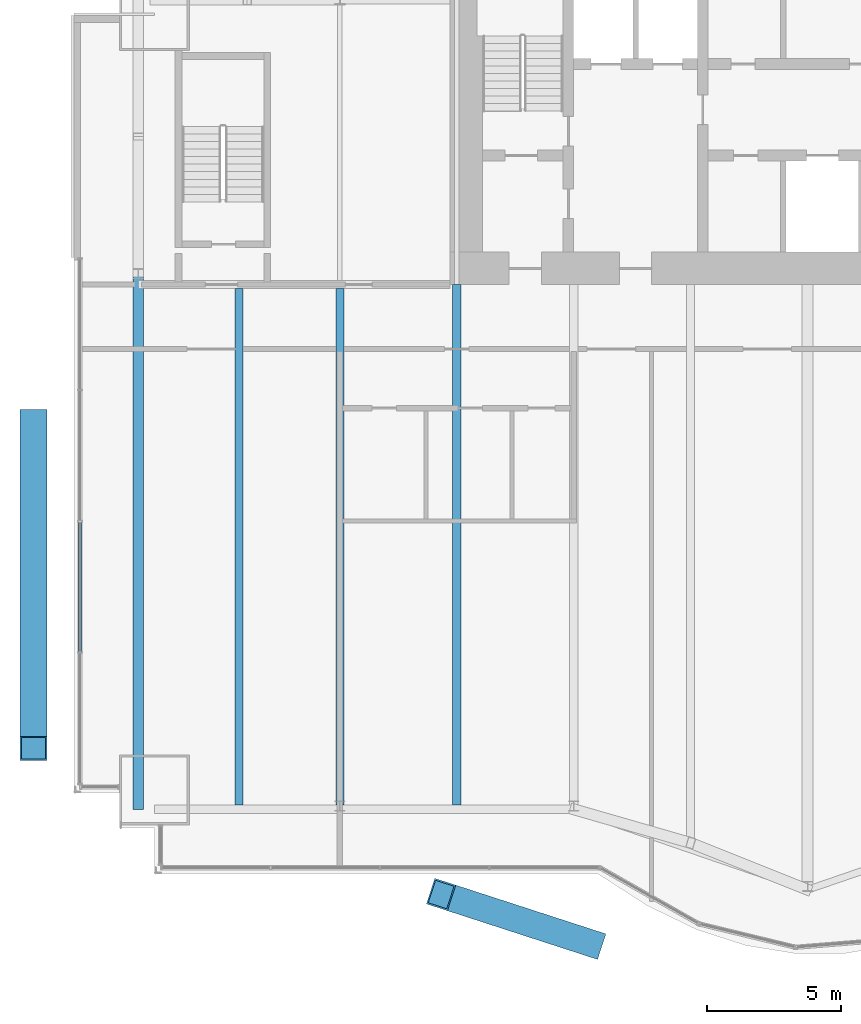
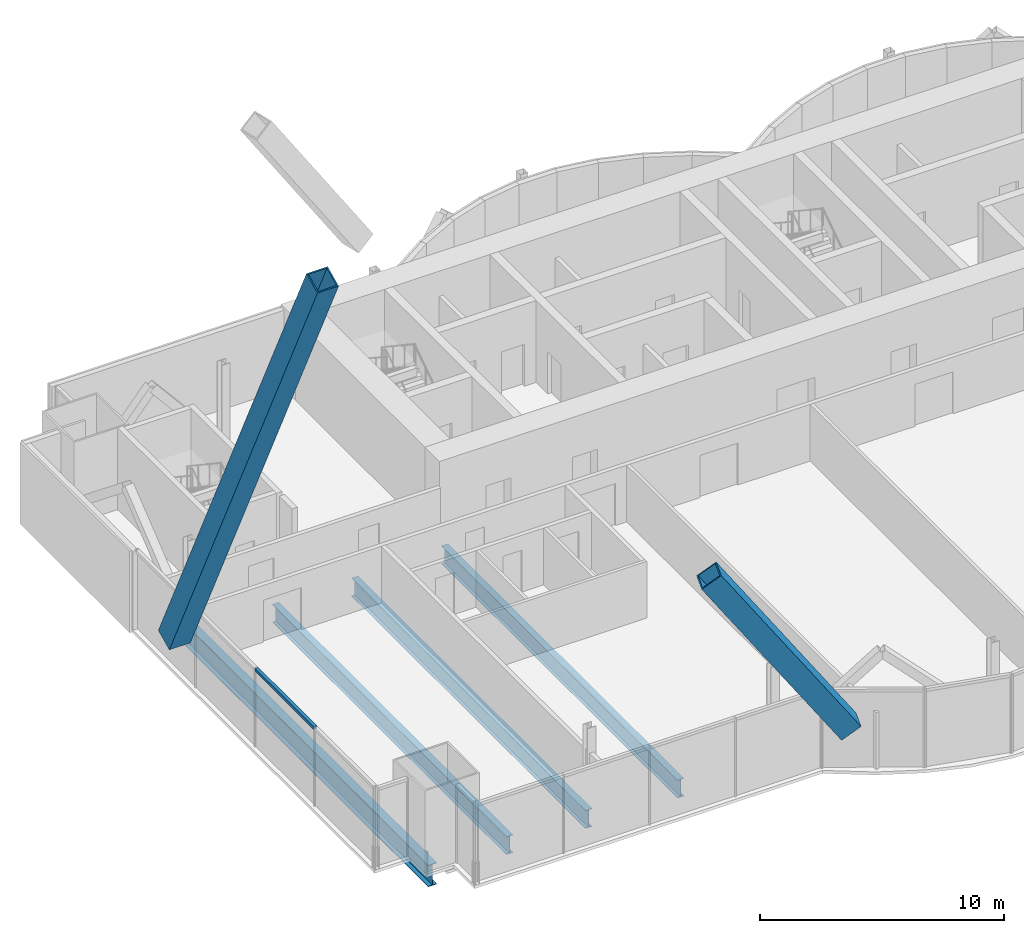
# One storey, part 6 of 24: 4 beams, 3 members, 1 element without a shape of its own.
"""IFC4 building model written with IfcOpenShell, lengths in metres."""

from ifc_helpers import new_model, si_unit, direction, frame, origin, origin_2d, place, context, subcontext, project, spatial, rectangle, hollow_rectangle, i_section, extrude, material, material_profile, profile_set, type_object, element, aggregate, save


model = new_model("IFC4")

# Units and contexts
model_context = context("Model", 3, precision=1e-05, world=origin(), true_north=direction((0.0, 1.0)))
body_context = subcontext(model_context, "Body", "Model", "MODEL_VIEW")
ifc_project = project(units=[si_unit("LENGTHUNIT", "METRE"), si_unit("AREAUNIT", "SQUARE_METRE"), si_unit("VOLUMEUNIT", "CUBIC_METRE"), si_unit("PLANEANGLEUNIT", "RADIAN"), si_unit("MASSUNIT", "GRAM", prefix="KILO")], contexts=[model_context])

# Site, building, storey
site_placement = place(None, origin())
site = spatial("IfcSite", under=ifc_project, at=site_placement, CompositionType="ELEMENT")
building_placement = place(site_placement, origin())
building = spatial("IfcBuilding", under=site, at=building_placement, Name="Bicima Exchange Tower", CompositionType="ELEMENT")
storey_placement = place(building_placement, frame((0.0, 0.0, 160.89990234375)))
storey = spatial("IfcBuildingStorey", under=building, at=storey_placement, Name="L35", CompositionType="ELEMENT", Elevation=160.89990234375)

# Curtain wall, member
ifc_material_1 = material(Name="Anodised bronze aluminium", Category="aluminium")
curtain_wall_type = type_object("IfcCurtainWallType", Name="End face glass wall", PredefinedType="NOTDEFINED", material=ifc_material_1)
curtain_wall_placement = place(storey_placement, origin())
curtain_wall = element("IfcCurtainWall", 1, at=curtain_wall_placement, inside=storey, type_object=curtain_wall_type, Name="End face glass wall L35 run 2", PredefinedType="NOTDEFINED")
ifc_material_profile_1 = material_profile(ifc_material_1, rectangle(XDim=0.159912109375, YDim=0.139892578125, at=origin_2d()))
ifc_profile_set_1 = profile_set([ifc_material_profile_1], Name="Anodised bronze aluminium")
member_type_1 = type_object("IfcMemberType", Name="End face glass wall transom 140 x 160", PredefinedType="USERDEFINED", material=ifc_profile_set_1)
member_1_placement = place(storey_placement, frame((-35.77001953125, -21.8369140625, 3.880126953125), z_axis=(0.0, -1.0, 0.0), x_axis=(1.0, 0.0, 0.0)))
member_1 = element("IfcMember", 2, at=member_1_placement, type_object=member_type_1, Name="End face glass wall transom 3.1", ObjectType="TRANSOM", PredefinedType="USERDEFINED", context=body_context, shape_type="SweptSolid", body=[
    extrude(rectangle(XDim=0.159912109375, YDim=0.139892578125, at=origin_2d()), origin(), (0.0, 0.0, 1.0), 4.82861328125),
])
aggregate(curtain_wall, [member_1])

# Beam
ifc_material_2 = material(Name="Steel ASTM A992 Gr 50", Category="steel")
ifc_material_profile_2 = material_profile(ifc_material_2, i_section(OverallWidth=0.4013671875, OverallDepth=1.089599609375, WebThickness=0.01806640625, FlangeThickness=0.031005859375, at=origin_2d()))
ifc_profile_set_2 = profile_set([ifc_material_profile_2], Name="Steel ASTM A992 Gr 50")
beam_type_1 = type_object("IfcBeamType", Name="End girder W44x230", PredefinedType="BEAM", material=ifc_profile_set_2)
beam_1_placement = place(storey_placement, frame((-33.60009765625, -12.60009765625, -0.69482421875), z_axis=(0.0, -1.0, 0.0), x_axis=(1.0, 0.0, 0.0)))
element("IfcBeam", 3, at=beam_1_placement, inside=storey, type_object=beam_type_1, Name="End girder", PredefinedType="BEAM", context=body_context, shape_type="SweptSolid", body=[
    extrude(i_section(OverallWidth=0.4013671875, OverallDepth=1.089599609375, WebThickness=0.01806640625, FlangeThickness=0.031005859375, at=origin_2d()), origin(), (0.0, 0.0, 1.0), 19.923828125),
])

# Members
ifc_material_3 = material(Name="Steel ASTM A572 Gr 50", Category="steel")
ifc_material_profile_3 = material_profile(ifc_material_3, hollow_rectangle(XDim=1.0, YDim=1.0, WallThickness=0.06005859375, at=origin_2d()))
ifc_profile_set_3 = profile_set([ifc_material_profile_3], Name="Steel ASTM A572 Gr 50")
member_type_2 = type_object("IfcMemberType", Name="Exo mega brace BOX 1000x1000x60", PredefinedType="BRACE", material=ifc_profile_set_3)
member_2_placement = place(storey_placement, frame((-16.75, -37.50732421875, 3.85009765625), z_axis=(-0.544087292509, 0.176699301301, 0.820211177106), x_axis=(-0.308881999027, -0.951100368351, 0.0)))
element("IfcMember", 4, at=member_2_placement, inside=storey, type_object=member_type_2, Name="Exo mega brace front", PredefinedType="BRACE", context=body_context, shape_type="SweptSolid", body=[
    extrude(hollow_rectangle(XDim=1.0, YDim=1.0, WallThickness=0.06005859375, at=origin_2d()), origin(), (0.0, 0.0, 1.0), 10.26171875),
])
member_3_placement = place(storey_placement, frame((-37.5, -18.09228515625, 3.85009765625), z_axis=(0.0, -0.434015442314, 0.900905431126), x_axis=(1.0, 0.0, 0.0)))
element("IfcMember", 5, at=member_3_placement, inside=storey, type_object=member_type_2, Name="Exo mega brace end", PredefinedType="BRACE", context=body_context, shape_type="SweptSolid", body=[
    extrude(hollow_rectangle(XDim=1.0, YDim=1.0, WallThickness=0.06005859375, at=origin_2d()), origin(), (0.0, 0.0, 1.0), 28.02734375),
])

# Beams
ifc_material_profile_4 = material_profile(ifc_material_2, i_section(OverallWidth=0.3046875, OverallDepth=0.904296875, WebThickness=0.01513671875, FlangeThickness=0.02001953125, at=origin_2d()))
ifc_profile_set_4 = profile_set([ifc_material_profile_4], Name="Steel ASTM A992 Gr 50")
beam_type_2 = type_object("IfcBeamType", Name="Floor beam W36x135", PredefinedType="JOIST", material=ifc_profile_set_4)
for number, where, z_axis, x_axis, name in (
    (6, (-29.85009765625, -13.15234375, -0.60205078125), (0.0, -1.0, 0.0), (1.0, 0.0, 0.0), "Floor beam"),
    (7, (-26.10009765625, -13.15234375, -0.60205078125), (0.0, -1.0, 0.0), (1.0, 0.0, 0.0), "Floor beam"),
):
    element("IfcBeam", number, at=place(storey_placement, frame(where, z_axis=z_axis, x_axis=x_axis)), inside=storey, type_object=beam_type_2, Name=name, PredefinedType="JOIST", context=body_context, shape_type="SweptSolid", body=[
        extrude(i_section(OverallWidth=0.3046875, OverallDepth=0.904296875, WebThickness=0.01513671875, FlangeThickness=0.02001953125, at=origin_2d()), origin(), (0.0, 0.0, 1.0), 19.208984375),
    ])
beam_2_placement = place(storey_placement, frame((-21.75, -13.0, -0.60205078125), z_axis=(0.0, -1.0, 0.0), x_axis=(1.0, 0.0, 0.0)))
element("IfcBeam", 8, at=beam_2_placement, inside=storey, type_object=beam_type_2, Name="Floor beam", PredefinedType="JOIST", context=body_context, shape_type="SweptSolid", body=[
    extrude(i_section(OverallWidth=0.3046875, OverallDepth=0.904296875, WebThickness=0.01513671875, FlangeThickness=0.02001953125, at=origin_2d()), origin(), (0.0, 0.0, 1.0), 19.361328125),
])

save(model, "model.ifc")
